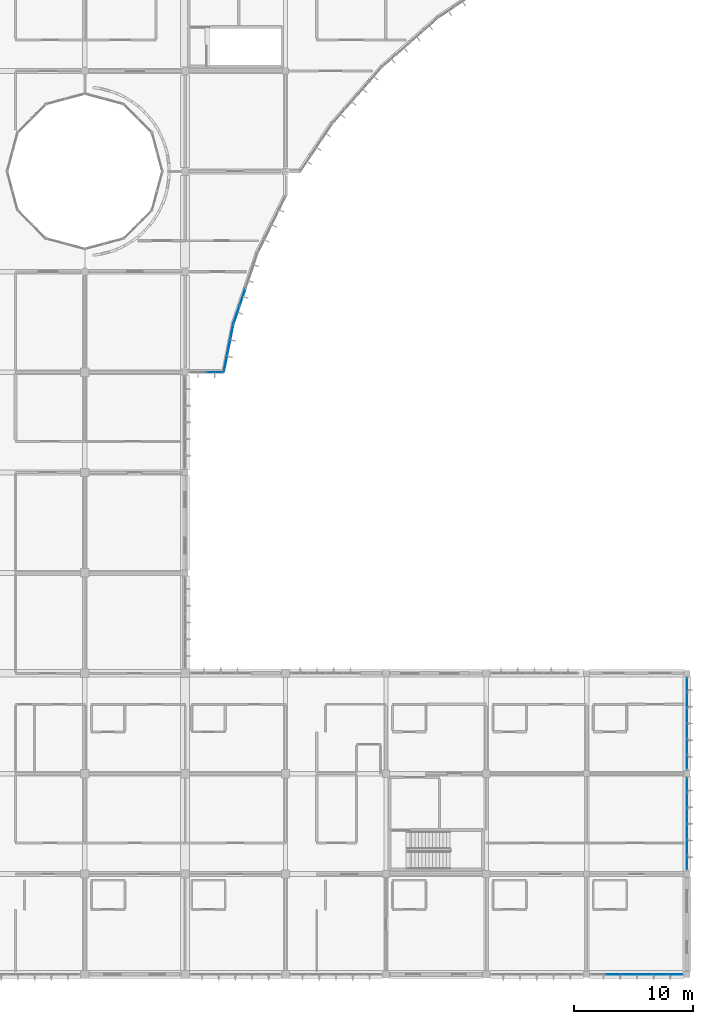
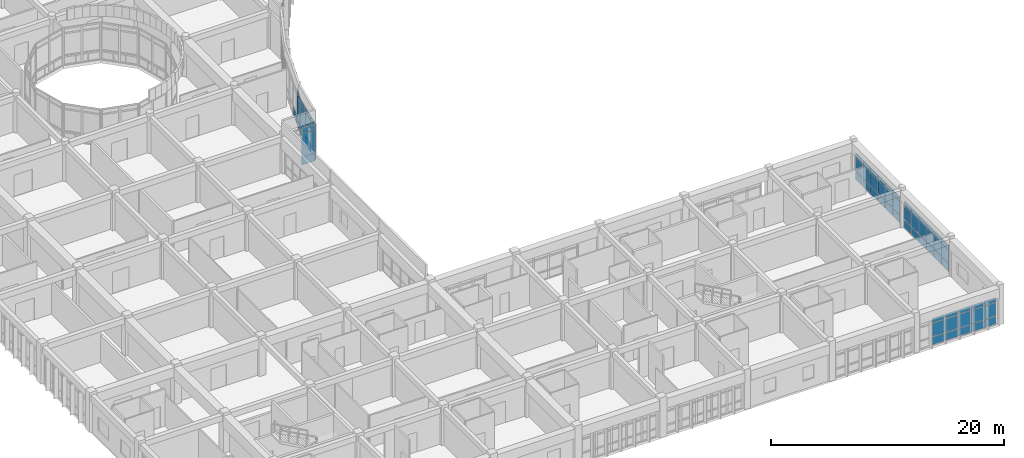
# One storey, part 70 of 119: 67 plates, 6 elements without a shape of their own.
"""IFC4 building model written with IfcOpenShell, lengths in metres."""

from ifc_helpers import new_model, si_unit, direction, frame, origin, origin_2d, place, context, subcontext, project, spatial, rectangle, extrude, material, layer, layer_set, type_object, element, aggregate, save


model = new_model("IFC4")

# Units and contexts
model_context = context("Model", 3, precision=1e-05, world=origin(), true_north=direction((0.0, 1.0)))
body_context = subcontext(model_context, "Body", "Model", "MODEL_VIEW")
ifc_project = project(units=[si_unit("LENGTHUNIT", "METRE"), si_unit("AREAUNIT", "SQUARE_METRE"), si_unit("VOLUMEUNIT", "CUBIC_METRE"), si_unit("PLANEANGLEUNIT", "RADIAN"), si_unit("MASSUNIT", "GRAM", prefix="KILO")], contexts=[model_context])

# Site, building, storey
site_placement = place(None, origin())
site = spatial("IfcSite", under=ifc_project, at=site_placement, CompositionType="ELEMENT")
building_placement = place(site_placement, origin())
building = spatial("IfcBuilding", under=site, at=building_placement, Name="Bramfleet General Hospital", CompositionType="ELEMENT")
storey_placement = place(building_placement, frame((0.0, 0.0, 14.39990234375)))
storey = spatial("IfcBuildingStorey", under=building, at=storey_placement, Name="L03", CompositionType="ELEMENT", Elevation=14.39990234375)

# Curtain wall, plates
ifc_material_1 = material(Name="Anodised aluminium and low-E triple glazing", Category="aluminium")
ifc_layer_1 = layer(ifc_material_1, 0.179931640625, Name="CWT-CW-17")
ifc_layer_set_1 = layer_set([ifc_layer_1], Name="Anodised aluminium and low-E triple glazing")
curtain_wall_type_1 = type_object("IfcCurtainWallType", Name="CWT-CW-17", PredefinedType="USERDEFINED", material=ifc_layer_set_1)
curtain_wall_1_placement = place(storey_placement, origin())
curtain_wall_1 = element("IfcCurtainWall", 1, at=curtain_wall_1_placement, inside=storey, type_object=curtain_wall_type_1, Name="L03 Curtain Wall 161", ObjectType="Stick curtain wall", PredefinedType="USERDEFINED")
ifc_material_2 = material(Name="Low-E laminated safety glass", Category="glass")
ifc_layer_2 = layer(ifc_material_2, 0.028076171875, Name="CWP-GLZ-1")
ifc_layer_set_2 = layer_set([ifc_layer_2], Name="Low-E laminated safety glass")
plate_type_1 = type_object("IfcPlateType", Name="CWP-GLZ-1", PredefinedType="CURTAIN_PANEL", material=ifc_layer_set_2)
plate_1_placement = place(storey_placement, frame((128.489990234375, 50.39990234375, 0.06494140625), z_axis=(0.0, 0.0, 1.0), x_axis=(-1.0, 0.0, 0.0)))
plate_1 = element("IfcPlate", 2, at=plate_1_placement, type_object=plate_type_1, Name="CW-17 panel 1.1", PredefinedType="CURTAIN_PANEL", context=body_context, shape_type="SweptSolid", body=[
    extrude(rectangle(XDim=1.35009765625, YDim=0.028076171875, at=origin_2d()), origin(), (0.0, 0.0, 1.0), 0.802490234375),
])
plate_2_placement = place(storey_placement, frame((128.489990234375, 50.39990234375, 0.9326171875), z_axis=(0.0, 0.0, 1.0), x_axis=(-1.0, 0.0, 0.0)))
plate_2 = element("IfcPlate", 3, at=plate_2_placement, type_object=plate_type_1, Name="CW-17 panel 1.2", PredefinedType="CURTAIN_PANEL", context=body_context, shape_type="SweptSolid", body=[
    extrude(rectangle(XDim=1.35009765625, YDim=0.028076171875, at=origin_2d()), origin(), (0.0, 0.0, 1.0), 2.375),
])
plate_3_placement = place(storey_placement, frame((128.489990234375, 50.39990234375, 3.37255859375), z_axis=(0.0, 0.0, 1.0), x_axis=(-1.0, 0.0, 0.0)))
plate_3 = element("IfcPlate", 4, at=plate_3_placement, type_object=plate_type_1, Name="CW-17 panel 1.3", PredefinedType="CURTAIN_PANEL", context=body_context, shape_type="SweptSolid", body=[
    extrude(rectangle(XDim=1.35009765625, YDim=0.028076171875, at=origin_2d()), origin(), (0.0, 0.0, 1.0), 0.452392578125),
])
aggregate(curtain_wall_1, [plate_1, plate_2, plate_3])

ifc_layer_3 = layer(ifc_material_1, 0.179931640625, Name="CWT-CW-07")
ifc_layer_set_3 = layer_set([ifc_layer_3], Name="Anodised aluminium and low-E triple glazing")
curtain_wall_type_2 = type_object("IfcCurtainWallType", Name="CWT-CW-07", PredefinedType="USERDEFINED", material=ifc_layer_set_3)
curtain_wall_2_placement = place(storey_placement, origin())
curtain_wall_2 = element("IfcCurtainWall", 5, at=curtain_wall_2_placement, inside=storey, type_object=curtain_wall_type_2, Name="L03 Curtain Wall 169", ObjectType="Unitised curtain wall", PredefinedType="USERDEFINED")
plate_4_placement = place(storey_placement, frame((167.01171875, 0.0, 0.06494140625), z_axis=(0.0, 0.0, 1.0), x_axis=(-1.0, 0.0, 0.0)))
plate_4 = element("IfcPlate", 6, at=plate_4_placement, type_object=plate_type_1, Name="CW-07 panel 1.1", PredefinedType="CURTAIN_PANEL", context=body_context, shape_type="SweptSolid", body=[
    extrude(rectangle(XDim=1.186767578125, YDim=0.028076171875, at=origin_2d()), origin(), (0.0, 0.0, 1.0), 0.802490234375),
])
plate_5_placement = place(storey_placement, frame((167.01171875, 0.0, 0.9326171875), z_axis=(0.0, 0.0, 1.0), x_axis=(-1.0, 0.0, 0.0)))
plate_5 = element("IfcPlate", 7, at=plate_5_placement, type_object=plate_type_1, Name="CW-07 panel 1.2", PredefinedType="CURTAIN_PANEL", context=body_context, shape_type="SweptSolid", body=[
    extrude(rectangle(XDim=1.186767578125, YDim=0.028076171875, at=origin_2d()), origin(), (0.0, 0.0, 1.0), 1.375),
])
plate_6_placement = place(storey_placement, frame((167.01171875, 0.0, 2.37255859375), z_axis=(0.0, 0.0, 1.0), x_axis=(-1.0, 0.0, 0.0)))
plate_6 = element("IfcPlate", 8, at=plate_6_placement, type_object=plate_type_1, Name="CW-07 panel 1.3", PredefinedType="CURTAIN_PANEL", context=body_context, shape_type="SweptSolid", body=[
    extrude(rectangle(XDim=1.186767578125, YDim=0.028076171875, at=origin_2d()), origin(), (0.0, 0.0, 1.0), 0.452392578125),
])
plate_7_placement = place(storey_placement, frame((165.737548828125, 0.0, 0.06494140625), z_axis=(0.0, 0.0, 1.0), x_axis=(-1.0, 0.0, 0.0)))
plate_7 = element("IfcPlate", 9, at=plate_7_placement, type_object=plate_type_1, Name="CW-07 panel 2.1", PredefinedType="CURTAIN_PANEL", context=body_context, shape_type="SweptSolid", body=[
    extrude(rectangle(XDim=1.2216796875, YDim=0.028076171875, at=origin_2d()), origin(), (0.0, 0.0, 1.0), 0.802490234375),
])
plate_8_placement = place(storey_placement, frame((165.737548828125, 0.0, 0.9326171875), z_axis=(0.0, 0.0, 1.0), x_axis=(-1.0, 0.0, 0.0)))
plate_8 = element("IfcPlate", 10, at=plate_8_placement, type_object=plate_type_1, Name="CW-07 panel 2.2", PredefinedType="CURTAIN_PANEL", context=body_context, shape_type="SweptSolid", body=[
    extrude(rectangle(XDim=1.2216796875, YDim=0.028076171875, at=origin_2d()), origin(), (0.0, 0.0, 1.0), 1.375),
])
plate_9_placement = place(storey_placement, frame((165.737548828125, 0.0, 2.37255859375), z_axis=(0.0, 0.0, 1.0), x_axis=(-1.0, 0.0, 0.0)))
plate_9 = element("IfcPlate", 11, at=plate_9_placement, type_object=plate_type_1, Name="CW-07 panel 2.3", PredefinedType="CURTAIN_PANEL", context=body_context, shape_type="SweptSolid", body=[
    extrude(rectangle(XDim=1.2216796875, YDim=0.028076171875, at=origin_2d()), origin(), (0.0, 0.0, 1.0), 0.452392578125),
])
plate_10_placement = place(storey_placement, frame((164.44580078125, 0.0, 0.06494140625), z_axis=(0.0, 0.0, 1.0), x_axis=(-1.0, 0.0, 0.0)))
plate_10 = element("IfcPlate", 12, at=plate_10_placement, type_object=plate_type_1, Name="CW-07 panel 3.1", PredefinedType="CURTAIN_PANEL", context=body_context, shape_type="SweptSolid", body=[
    extrude(rectangle(XDim=1.2216796875, YDim=0.028076171875, at=origin_2d()), origin(), (0.0, 0.0, 1.0), 0.802490234375),
])
plate_11_placement = place(storey_placement, frame((164.44580078125, 0.0, 0.9326171875), z_axis=(0.0, 0.0, 1.0), x_axis=(-1.0, 0.0, 0.0)))
plate_11 = element("IfcPlate", 13, at=plate_11_placement, type_object=plate_type_1, Name="CW-07 panel 3.2", PredefinedType="CURTAIN_PANEL", context=body_context, shape_type="SweptSolid", body=[
    extrude(rectangle(XDim=1.2216796875, YDim=0.028076171875, at=origin_2d()), origin(), (0.0, 0.0, 1.0), 1.375),
])
plate_12_placement = place(storey_placement, frame((164.44580078125, 0.0, 2.37255859375), z_axis=(0.0, 0.0, 1.0), x_axis=(-1.0, 0.0, 0.0)))
plate_12 = element("IfcPlate", 14, at=plate_12_placement, type_object=plate_type_1, Name="CW-07 panel 3.3", PredefinedType="CURTAIN_PANEL", context=body_context, shape_type="SweptSolid", body=[
    extrude(rectangle(XDim=1.2216796875, YDim=0.028076171875, at=origin_2d()), origin(), (0.0, 0.0, 1.0), 0.452392578125),
])
plate_13_placement = place(storey_placement, frame((163.154052734375, 0.0, 0.06494140625), z_axis=(0.0, 0.0, 1.0), x_axis=(-1.0, 0.0, 0.0)))
plate_13 = element("IfcPlate", 15, at=plate_13_placement, type_object=plate_type_1, Name="CW-07 panel 4.1", PredefinedType="CURTAIN_PANEL", context=body_context, shape_type="SweptSolid", body=[
    extrude(rectangle(XDim=1.2216796875, YDim=0.028076171875, at=origin_2d()), origin(), (0.0, 0.0, 1.0), 0.802490234375),
])
plate_14_placement = place(storey_placement, frame((163.154052734375, 0.0, 0.9326171875), z_axis=(0.0, 0.0, 1.0), x_axis=(-1.0, 0.0, 0.0)))
plate_14 = element("IfcPlate", 16, at=plate_14_placement, type_object=plate_type_1, Name="CW-07 panel 4.2", PredefinedType="CURTAIN_PANEL", context=body_context, shape_type="SweptSolid", body=[
    extrude(rectangle(XDim=1.2216796875, YDim=0.028076171875, at=origin_2d()), origin(), (0.0, 0.0, 1.0), 1.375),
])
plate_15_placement = place(storey_placement, frame((163.154052734375, 0.0, 2.37255859375), z_axis=(0.0, 0.0, 1.0), x_axis=(-1.0, 0.0, 0.0)))
plate_15 = element("IfcPlate", 17, at=plate_15_placement, type_object=plate_type_1, Name="CW-07 panel 4.3", PredefinedType="CURTAIN_PANEL", context=body_context, shape_type="SweptSolid", body=[
    extrude(rectangle(XDim=1.2216796875, YDim=0.028076171875, at=origin_2d()), origin(), (0.0, 0.0, 1.0), 0.452392578125),
])
plate_16_placement = place(storey_placement, frame((161.862548828125, 0.0, 0.06494140625), z_axis=(0.0, 0.0, 1.0), x_axis=(-1.0, 0.0, 0.0)))
plate_16 = element("IfcPlate", 18, at=plate_16_placement, type_object=plate_type_1, Name="CW-07 panel 5.1", PredefinedType="CURTAIN_PANEL", context=body_context, shape_type="SweptSolid", body=[
    extrude(rectangle(XDim=1.2216796875, YDim=0.028076171875, at=origin_2d()), origin(), (0.0, 0.0, 1.0), 0.802490234375),
])
plate_17_placement = place(storey_placement, frame((161.862548828125, 0.0, 0.9326171875), z_axis=(0.0, 0.0, 1.0), x_axis=(-1.0, 0.0, 0.0)))
plate_17 = element("IfcPlate", 19, at=plate_17_placement, type_object=plate_type_1, Name="CW-07 panel 5.2", PredefinedType="CURTAIN_PANEL", context=body_context, shape_type="SweptSolid", body=[
    extrude(rectangle(XDim=1.2216796875, YDim=0.028076171875, at=origin_2d()), origin(), (0.0, 0.0, 1.0), 1.375),
])
plate_18_placement = place(storey_placement, frame((161.862548828125, 0.0, 2.37255859375), z_axis=(0.0, 0.0, 1.0), x_axis=(-1.0, 0.0, 0.0)))
plate_18 = element("IfcPlate", 20, at=plate_18_placement, type_object=plate_type_1, Name="CW-07 panel 5.3", PredefinedType="CURTAIN_PANEL", context=body_context, shape_type="SweptSolid", body=[
    extrude(rectangle(XDim=1.2216796875, YDim=0.028076171875, at=origin_2d()), origin(), (0.0, 0.0, 1.0), 0.452392578125),
])
aggregate(curtain_wall_2, [plate_4, plate_5, plate_6, plate_7, plate_8, plate_9, plate_10, plate_11, plate_12, plate_13, plate_14, plate_15, plate_16, plate_17, plate_18])

ifc_layer_4 = layer(ifc_material_1, 0.179931640625, Name="CWT-CW-15")
ifc_layer_set_4 = layer_set([ifc_layer_4], Name="Anodised aluminium and low-E triple glazing")
curtain_wall_type_3 = type_object("IfcCurtainWallType", Name="CWT-CW-15", PredefinedType="USERDEFINED", material=ifc_layer_set_4)
curtain_wall_3_placement = place(storey_placement, origin())
curtain_wall_3 = element("IfcCurtainWall", 21, at=curtain_wall_3_placement, inside=storey, type_object=curtain_wall_type_3, Name="L03 Curtain Wall 159", ObjectType="Stick curtain wall", PredefinedType="USERDEFINED")
ifc_layer_5 = layer(ifc_material_2, 0.035888671875, Name="CWP-GLZ-3")
ifc_layer_set_5 = layer_set([ifc_layer_5], Name="Low-E laminated safety glass")
plate_type_2 = type_object("IfcPlateType", Name="CWP-GLZ-3", PredefinedType="CURTAIN_PANEL", material=ifc_layer_set_5)
plate_19_placement = place(storey_placement, frame((130.792724609375, 56.65283203125, 0.06494140625), z_axis=(0.0, 0.0, 1.0), x_axis=(-0.321383054181, -0.946949276617, 0.0)))
plate_19 = element("IfcPlate", 22, at=plate_19_placement, type_object=plate_type_2, Name="CW-15 panel 3.1", PredefinedType="CURTAIN_PANEL", context=body_context, shape_type="SweptSolid", body=[
    extrude(rectangle(XDim=1.499755859375, YDim=0.035888671875, at=origin_2d()), origin(), (0.0, 0.0, 1.0), 0.802490234375),
])
plate_20_placement = place(storey_placement, frame((130.2939453125, 55.182861328125, 0.06494140625), z_axis=(0.0, 0.0, 1.0), x_axis=(-0.321383054181, -0.946949276617, 0.0)))
plate_20 = element("IfcPlate", 23, at=plate_20_placement, type_object=plate_type_2, Name="CW-15 panel 4.1", PredefinedType="CURTAIN_PANEL", context=body_context, shape_type="SweptSolid", body=[
    extrude(rectangle(XDim=1.46484375, YDim=0.035888671875, at=origin_2d()), origin(), (0.0, 0.0, 1.0), 0.802490234375),
])
plate_21_placement = place(storey_placement, frame((130.2939453125, 55.182861328125, 0.9326171875), z_axis=(0.0, 0.0, 1.0), x_axis=(-0.321383054181, -0.946949276617, 0.0)))
plate_21 = element("IfcPlate", 24, at=plate_21_placement, type_object=plate_type_2, Name="CW-15 panel 4.2", PredefinedType="CURTAIN_PANEL", context=body_context, shape_type="SweptSolid", body=[
    extrude(rectangle(XDim=1.46484375, YDim=0.035888671875, at=origin_2d()), origin(), (0.0, 0.0, 1.0), 2.375),
])
plate_22_placement = place(storey_placement, frame((130.2939453125, 55.182861328125, 3.37255859375), z_axis=(0.0, 0.0, 1.0), x_axis=(-0.321383054181, -0.946949276617, 0.0)))
plate_22 = element("IfcPlate", 25, at=plate_22_placement, type_object=plate_type_2, Name="CW-15 panel 4.3", PredefinedType="CURTAIN_PANEL", context=body_context, shape_type="SweptSolid", body=[
    extrude(rectangle(XDim=1.46484375, YDim=0.035888671875, at=origin_2d()), origin(), (0.0, 0.0, 1.0), 0.452392578125),
])
aggregate(curtain_wall_3, [plate_19, plate_20, plate_21, plate_22])

ifc_layer_6 = layer(ifc_material_1, 0.179931640625, Name="CWT-CW-05")
ifc_layer_set_6 = layer_set([ifc_layer_6], Name="Anodised aluminium and low-E triple glazing")
curtain_wall_type_4 = type_object("IfcCurtainWallType", Name="CWT-CW-05", PredefinedType="USERDEFINED", material=ifc_layer_set_6)
curtain_wall_4_placement = place(storey_placement, origin())
curtain_wall_4 = element("IfcCurtainWall", 26, at=curtain_wall_4_placement, inside=storey, type_object=curtain_wall_type_4, Name="L03 Curtain Wall 167", ObjectType="Unitised curtain wall", PredefinedType="USERDEFINED")
plate_23_placement = place(storey_placement, frame((168.0, 24.211669921875, 0.06494140625), z_axis=(0.0, 0.0, 1.0), x_axis=(0.0, -1.0, 0.0)))
plate_23 = element("IfcPlate", 27, at=plate_23_placement, type_object=plate_type_2, Name="CW-05 panel 1.1", PredefinedType="CURTAIN_PANEL", context=body_context, shape_type="SweptSolid", body=[
    extrude(rectangle(XDim=1.186767578125, YDim=0.035888671875, at=origin_2d()), origin(), (0.0, 0.0, 1.0), 0.802490234375),
])
plate_24_placement = place(storey_placement, frame((168.0, 24.211669921875, 0.9326171875), z_axis=(0.0, 0.0, 1.0), x_axis=(0.0, -1.0, 0.0)))
plate_24 = element("IfcPlate", 28, at=plate_24_placement, type_object=plate_type_2, Name="CW-05 panel 1.2", PredefinedType="CURTAIN_PANEL", context=body_context, shape_type="SweptSolid", body=[
    extrude(rectangle(XDim=1.186767578125, YDim=0.035888671875, at=origin_2d()), origin(), (0.0, 0.0, 1.0), 1.375),
])
plate_25_placement = place(storey_placement, frame((168.0, 24.211669921875, 2.37255859375), z_axis=(0.0, 0.0, 1.0), x_axis=(0.0, -1.0, 0.0)))
plate_25 = element("IfcPlate", 29, at=plate_25_placement, type_object=plate_type_2, Name="CW-05 panel 1.3", PredefinedType="CURTAIN_PANEL", context=body_context, shape_type="SweptSolid", body=[
    extrude(rectangle(XDim=1.186767578125, YDim=0.035888671875, at=origin_2d()), origin(), (0.0, 0.0, 1.0), 0.452392578125),
])
plate_26_placement = place(storey_placement, frame((168.0, 22.9375, 0.06494140625), z_axis=(0.0, 0.0, 1.0), x_axis=(0.0, -1.0, 0.0)))
plate_26 = element("IfcPlate", 30, at=plate_26_placement, type_object=plate_type_2, Name="CW-05 panel 2.1", PredefinedType="CURTAIN_PANEL", context=body_context, shape_type="SweptSolid", body=[
    extrude(rectangle(XDim=1.2216796875, YDim=0.035888671875, at=origin_2d()), origin(), (0.0, 0.0, 1.0), 0.802490234375),
])
plate_27_placement = place(storey_placement, frame((168.0, 22.9375, 0.9326171875), z_axis=(0.0, 0.0, 1.0), x_axis=(0.0, -1.0, 0.0)))
plate_27 = element("IfcPlate", 31, at=plate_27_placement, type_object=plate_type_2, Name="CW-05 panel 2.2", PredefinedType="CURTAIN_PANEL", context=body_context, shape_type="SweptSolid", body=[
    extrude(rectangle(XDim=1.2216796875, YDim=0.035888671875, at=origin_2d()), origin(), (0.0, 0.0, 1.0), 1.375),
])
plate_28_placement = place(storey_placement, frame((168.0, 22.9375, 2.37255859375), z_axis=(0.0, 0.0, 1.0), x_axis=(0.0, -1.0, 0.0)))
plate_28 = element("IfcPlate", 32, at=plate_28_placement, type_object=plate_type_2, Name="CW-05 panel 2.3", PredefinedType="CURTAIN_PANEL", context=body_context, shape_type="SweptSolid", body=[
    extrude(rectangle(XDim=1.2216796875, YDim=0.035888671875, at=origin_2d()), origin(), (0.0, 0.0, 1.0), 0.452392578125),
])
plate_29_placement = place(storey_placement, frame((168.0, 21.645751953125, 0.06494140625), z_axis=(0.0, 0.0, 1.0), x_axis=(0.0, -1.0, 0.0)))
plate_29 = element("IfcPlate", 33, at=plate_29_placement, type_object=plate_type_2, Name="CW-05 panel 3.1", PredefinedType="CURTAIN_PANEL", context=body_context, shape_type="SweptSolid", body=[
    extrude(rectangle(XDim=1.2216796875, YDim=0.035888671875, at=origin_2d()), origin(), (0.0, 0.0, 1.0), 0.802490234375),
])
plate_30_placement = place(storey_placement, frame((168.0, 21.645751953125, 0.9326171875), z_axis=(0.0, 0.0, 1.0), x_axis=(0.0, -1.0, 0.0)))
plate_30 = element("IfcPlate", 34, at=plate_30_placement, type_object=plate_type_2, Name="CW-05 panel 3.2", PredefinedType="CURTAIN_PANEL", context=body_context, shape_type="SweptSolid", body=[
    extrude(rectangle(XDim=1.2216796875, YDim=0.035888671875, at=origin_2d()), origin(), (0.0, 0.0, 1.0), 1.375),
])
plate_31_placement = place(storey_placement, frame((168.0, 21.645751953125, 2.37255859375), z_axis=(0.0, 0.0, 1.0), x_axis=(0.0, -1.0, 0.0)))
plate_31 = element("IfcPlate", 35, at=plate_31_placement, type_object=plate_type_2, Name="CW-05 panel 3.3", PredefinedType="CURTAIN_PANEL", context=body_context, shape_type="SweptSolid", body=[
    extrude(rectangle(XDim=1.2216796875, YDim=0.035888671875, at=origin_2d()), origin(), (0.0, 0.0, 1.0), 0.452392578125),
])
plate_32_placement = place(storey_placement, frame((168.0, 20.354248046875, 0.06494140625), z_axis=(0.0, 0.0, 1.0), x_axis=(0.0, -1.0, 0.0)))
plate_32 = element("IfcPlate", 36, at=plate_32_placement, type_object=plate_type_2, Name="CW-05 panel 4.1", PredefinedType="CURTAIN_PANEL", context=body_context, shape_type="SweptSolid", body=[
    extrude(rectangle(XDim=1.2216796875, YDim=0.035888671875, at=origin_2d()), origin(), (0.0, 0.0, 1.0), 0.802490234375),
])
plate_33_placement = place(storey_placement, frame((168.0, 20.354248046875, 0.9326171875), z_axis=(0.0, 0.0, 1.0), x_axis=(0.0, -1.0, 0.0)))
plate_33 = element("IfcPlate", 37, at=plate_33_placement, type_object=plate_type_2, Name="CW-05 panel 4.2", PredefinedType="CURTAIN_PANEL", context=body_context, shape_type="SweptSolid", body=[
    extrude(rectangle(XDim=1.2216796875, YDim=0.035888671875, at=origin_2d()), origin(), (0.0, 0.0, 1.0), 1.375),
])
plate_34_placement = place(storey_placement, frame((168.0, 20.354248046875, 2.37255859375), z_axis=(0.0, 0.0, 1.0), x_axis=(0.0, -1.0, 0.0)))
plate_34 = element("IfcPlate", 38, at=plate_34_placement, type_object=plate_type_2, Name="CW-05 panel 4.3", PredefinedType="CURTAIN_PANEL", context=body_context, shape_type="SweptSolid", body=[
    extrude(rectangle(XDim=1.2216796875, YDim=0.035888671875, at=origin_2d()), origin(), (0.0, 0.0, 1.0), 0.452392578125),
])
plate_35_placement = place(storey_placement, frame((168.0, 19.0625, 0.06494140625), z_axis=(0.0, 0.0, 1.0), x_axis=(0.0, -1.0, 0.0)))
plate_35 = element("IfcPlate", 39, at=plate_35_placement, type_object=plate_type_2, Name="CW-05 panel 5.1", PredefinedType="CURTAIN_PANEL", context=body_context, shape_type="SweptSolid", body=[
    extrude(rectangle(XDim=1.2216796875, YDim=0.035888671875, at=origin_2d()), origin(), (0.0, 0.0, 1.0), 0.802490234375),
])
plate_36_placement = place(storey_placement, frame((168.0, 19.0625, 0.9326171875), z_axis=(0.0, 0.0, 1.0), x_axis=(0.0, -1.0, 0.0)))
plate_36 = element("IfcPlate", 40, at=plate_36_placement, type_object=plate_type_2, Name="CW-05 panel 5.2", PredefinedType="CURTAIN_PANEL", context=body_context, shape_type="SweptSolid", body=[
    extrude(rectangle(XDim=1.2216796875, YDim=0.035888671875, at=origin_2d()), origin(), (0.0, 0.0, 1.0), 1.375),
])
plate_37_placement = place(storey_placement, frame((168.0, 19.0625, 2.37255859375), z_axis=(0.0, 0.0, 1.0), x_axis=(0.0, -1.0, 0.0)))
plate_37 = element("IfcPlate", 41, at=plate_37_placement, type_object=plate_type_2, Name="CW-05 panel 5.3", PredefinedType="CURTAIN_PANEL", context=body_context, shape_type="SweptSolid", body=[
    extrude(rectangle(XDim=1.2216796875, YDim=0.035888671875, at=origin_2d()), origin(), (0.0, 0.0, 1.0), 0.452392578125),
])
plate_38_placement = place(storey_placement, frame((168.0, 17.788330078125, 0.06494140625), z_axis=(0.0, 0.0, 1.0), x_axis=(0.0, -1.0, 0.0)))
plate_38 = element("IfcPlate", 42, at=plate_38_placement, type_object=plate_type_2, Name="CW-05 panel 6.1", PredefinedType="CURTAIN_PANEL", context=body_context, shape_type="SweptSolid", body=[
    extrude(rectangle(XDim=1.186767578125, YDim=0.035888671875, at=origin_2d()), origin(), (0.0, 0.0, 1.0), 0.802490234375),
])
plate_39_placement = place(storey_placement, frame((168.0, 17.788330078125, 0.9326171875), z_axis=(0.0, 0.0, 1.0), x_axis=(0.0, -1.0, 0.0)))
plate_39 = element("IfcPlate", 43, at=plate_39_placement, type_object=plate_type_2, Name="CW-05 panel 6.2", PredefinedType="CURTAIN_PANEL", context=body_context, shape_type="SweptSolid", body=[
    extrude(rectangle(XDim=1.186767578125, YDim=0.035888671875, at=origin_2d()), origin(), (0.0, 0.0, 1.0), 1.375),
])
plate_40_placement = place(storey_placement, frame((168.0, 17.788330078125, 2.37255859375), z_axis=(0.0, 0.0, 1.0), x_axis=(0.0, -1.0, 0.0)))
plate_40 = element("IfcPlate", 44, at=plate_40_placement, type_object=plate_type_2, Name="CW-05 panel 6.3", PredefinedType="CURTAIN_PANEL", context=body_context, shape_type="SweptSolid", body=[
    extrude(rectangle(XDim=1.186767578125, YDim=0.035888671875, at=origin_2d()), origin(), (0.0, 0.0, 1.0), 0.452392578125),
])
aggregate(curtain_wall_4, [plate_23, plate_24, plate_25, plate_26, plate_27, plate_28, plate_29, plate_30, plate_31, plate_32, plate_33, plate_34, plate_35, plate_36, plate_37, plate_38, plate_39, plate_40])

ifc_layer_7 = layer(ifc_material_1, 0.179931640625, Name="CWT-CW-16")
ifc_layer_set_7 = layer_set([ifc_layer_7], Name="Anodised aluminium and low-E triple glazing")
curtain_wall_type_5 = type_object("IfcCurtainWallType", Name="CWT-CW-16", PredefinedType="USERDEFINED", material=ifc_layer_set_7)
curtain_wall_5_placement = place(storey_placement, origin())
curtain_wall_5 = element("IfcCurtainWall", 45, at=curtain_wall_5_placement, inside=storey, type_object=curtain_wall_type_5, Name="L03 Curtain Wall 160", ObjectType="Stick curtain wall", PredefinedType="USERDEFINED")
ifc_layer_8 = layer(ifc_material_2, 0.0419921875, Name="CWP-GLZ-4")
ifc_layer_set_8 = layer_set([ifc_layer_8], Name="Low-E laminated safety glass")
plate_type_3 = type_object("IfcPlateType", Name="CWP-GLZ-4", PredefinedType="CURTAIN_PANEL", material=ifc_layer_set_8)
plate_41_placement = place(storey_placement, frame((129.899169921875, 53.7353515625, 0.06494140625), z_axis=(0.0, 0.0, 1.0), x_axis=(-0.195272189606, -0.980749087161, 0.0)))
plate_41 = element("IfcPlate", 46, at=plate_41_placement, type_object=plate_type_3, Name="CW-16 panel 1.1", PredefinedType="CURTAIN_PANEL", context=body_context, shape_type="SweptSolid", body=[
    extrude(rectangle(XDim=1.26220703125, YDim=0.0419921875, at=origin_2d()), origin(), (0.0, 0.0, 1.0), 0.802490234375),
])
plate_42_placement = place(storey_placement, frame((129.899169921875, 53.7353515625, 0.9326171875), z_axis=(0.0, 0.0, 1.0), x_axis=(-0.195272189606, -0.980749087161, 0.0)))
plate_42 = element("IfcPlate", 47, at=plate_42_placement, type_object=plate_type_3, Name="CW-16 panel 1.2", PredefinedType="CURTAIN_PANEL", context=body_context, shape_type="SweptSolid", body=[
    extrude(rectangle(XDim=1.26220703125, YDim=0.0419921875, at=origin_2d()), origin(), (0.0, 0.0, 1.0), 2.375),
])
plate_43_placement = place(storey_placement, frame((129.899169921875, 53.7353515625, 3.37255859375), z_axis=(0.0, 0.0, 1.0), x_axis=(-0.195272189606, -0.980749087161, 0.0)))
plate_43 = element("IfcPlate", 48, at=plate_43_placement, type_object=plate_type_3, Name="CW-16 panel 1.3", PredefinedType="CURTAIN_PANEL", context=body_context, shape_type="SweptSolid", body=[
    extrude(rectangle(XDim=1.26220703125, YDim=0.0419921875, at=origin_2d()), origin(), (0.0, 0.0, 1.0), 0.452392578125),
])
plate_44_placement = place(storey_placement, frame((129.635498046875, 52.41162109375, 0.06494140625), z_axis=(0.0, 0.0, 1.0), x_axis=(-0.195272189606, -0.980749087161, 0.0)))
plate_44 = element("IfcPlate", 49, at=plate_44_placement, type_object=plate_type_3, Name="CW-16 panel 2.1", PredefinedType="CURTAIN_PANEL", context=body_context, shape_type="SweptSolid", body=[
    extrude(rectangle(XDim=1.29736328125, YDim=0.0419921875, at=origin_2d()), origin(), (0.0, 0.0, 1.0), 0.802490234375),
])
plate_45_placement = place(storey_placement, frame((129.635498046875, 52.41162109375, 0.9326171875), z_axis=(0.0, 0.0, 1.0), x_axis=(-0.195272189606, -0.980749087161, 0.0)))
plate_45 = element("IfcPlate", 50, at=plate_45_placement, type_object=plate_type_3, Name="CW-16 panel 2.2", PredefinedType="CURTAIN_PANEL", context=body_context, shape_type="SweptSolid", body=[
    extrude(rectangle(XDim=1.29736328125, YDim=0.0419921875, at=origin_2d()), origin(), (0.0, 0.0, 1.0), 2.375),
])
plate_46_placement = place(storey_placement, frame((129.635498046875, 52.41162109375, 3.37255859375), z_axis=(0.0, 0.0, 1.0), x_axis=(-0.195272189606, -0.980749087161, 0.0)))
plate_46 = element("IfcPlate", 51, at=plate_46_placement, type_object=plate_type_3, Name="CW-16 panel 2.3", PredefinedType="CURTAIN_PANEL", context=body_context, shape_type="SweptSolid", body=[
    extrude(rectangle(XDim=1.29736328125, YDim=0.0419921875, at=origin_2d()), origin(), (0.0, 0.0, 1.0), 0.452392578125),
])
plate_47_placement = place(storey_placement, frame((129.371826171875, 51.087646484375, 0.06494140625), z_axis=(0.0, 0.0, 1.0), x_axis=(-0.195272189606, -0.980749087161, 0.0)))
plate_47 = element("IfcPlate", 52, at=plate_47_placement, type_object=plate_type_3, Name="CW-16 panel 3.1", PredefinedType="CURTAIN_PANEL", context=body_context, shape_type="SweptSolid", body=[
    extrude(rectangle(XDim=1.26220703125, YDim=0.0419921875, at=origin_2d()), origin(), (0.0, 0.0, 1.0), 0.802490234375),
])
plate_48_placement = place(storey_placement, frame((129.371826171875, 51.087646484375, 0.9326171875), z_axis=(0.0, 0.0, 1.0), x_axis=(-0.195272189606, -0.980749087161, 0.0)))
plate_48 = element("IfcPlate", 53, at=plate_48_placement, type_object=plate_type_3, Name="CW-16 panel 3.2", PredefinedType="CURTAIN_PANEL", context=body_context, shape_type="SweptSolid", body=[
    extrude(rectangle(XDim=1.26220703125, YDim=0.0419921875, at=origin_2d()), origin(), (0.0, 0.0, 1.0), 2.375),
])
plate_49_placement = place(storey_placement, frame((129.371826171875, 51.087646484375, 3.37255859375), z_axis=(0.0, 0.0, 1.0), x_axis=(-0.195272189606, -0.980749087161, 0.0)))
plate_49 = element("IfcPlate", 54, at=plate_49_placement, type_object=plate_type_3, Name="CW-16 panel 3.3", PredefinedType="CURTAIN_PANEL", context=body_context, shape_type="SweptSolid", body=[
    extrude(rectangle(XDim=1.26220703125, YDim=0.0419921875, at=origin_2d()), origin(), (0.0, 0.0, 1.0), 0.452392578125),
])
aggregate(curtain_wall_5, [plate_41, plate_42, plate_43, plate_44, plate_45, plate_46, plate_47, plate_48, plate_49])

ifc_layer_9 = layer(ifc_material_1, 0.179931640625, Name="CWT-CW-06")
ifc_layer_set_9 = layer_set([ifc_layer_9], Name="Anodised aluminium and low-E triple glazing")
curtain_wall_type_6 = type_object("IfcCurtainWallType", Name="CWT-CW-06", PredefinedType="USERDEFINED", material=ifc_layer_set_9)
curtain_wall_6_placement = place(storey_placement, origin())
curtain_wall_6 = element("IfcCurtainWall", 55, at=curtain_wall_6_placement, inside=storey, type_object=curtain_wall_type_6, Name="L03 Curtain Wall 168", ObjectType="Unitised curtain wall", PredefinedType="USERDEFINED")
plate_50_placement = place(storey_placement, frame((168.0, 15.811767578125, 0.06494140625), z_axis=(0.0, 0.0, 1.0), x_axis=(0.0, -1.0, 0.0)))
plate_50 = element("IfcPlate", 56, at=plate_50_placement, type_object=plate_type_3, Name="CW-06 panel 1.1", PredefinedType="CURTAIN_PANEL", context=body_context, shape_type="SweptSolid", body=[
    extrude(rectangle(XDim=1.186767578125, YDim=0.0419921875, at=origin_2d()), origin(), (0.0, 0.0, 1.0), 0.802490234375),
])
plate_51_placement = place(storey_placement, frame((168.0, 15.811767578125, 0.9326171875), z_axis=(0.0, 0.0, 1.0), x_axis=(0.0, -1.0, 0.0)))
plate_51 = element("IfcPlate", 57, at=plate_51_placement, type_object=plate_type_3, Name="CW-06 panel 1.2", PredefinedType="CURTAIN_PANEL", context=body_context, shape_type="SweptSolid", body=[
    extrude(rectangle(XDim=1.186767578125, YDim=0.0419921875, at=origin_2d()), origin(), (0.0, 0.0, 1.0), 1.375),
])
plate_52_placement = place(storey_placement, frame((168.0, 15.811767578125, 2.37255859375), z_axis=(0.0, 0.0, 1.0), x_axis=(0.0, -1.0, 0.0)))
plate_52 = element("IfcPlate", 58, at=plate_52_placement, type_object=plate_type_3, Name="CW-06 panel 1.3", PredefinedType="CURTAIN_PANEL", context=body_context, shape_type="SweptSolid", body=[
    extrude(rectangle(XDim=1.186767578125, YDim=0.0419921875, at=origin_2d()), origin(), (0.0, 0.0, 1.0), 0.452392578125),
])
plate_53_placement = place(storey_placement, frame((168.0, 14.53759765625, 0.06494140625), z_axis=(0.0, 0.0, 1.0), x_axis=(0.0, -1.0, 0.0)))
plate_53 = element("IfcPlate", 59, at=plate_53_placement, type_object=plate_type_3, Name="CW-06 panel 2.1", PredefinedType="CURTAIN_PANEL", context=body_context, shape_type="SweptSolid", body=[
    extrude(rectangle(XDim=1.2216796875, YDim=0.0419921875, at=origin_2d()), origin(), (0.0, 0.0, 1.0), 0.802490234375),
])
plate_54_placement = place(storey_placement, frame((168.0, 14.53759765625, 0.9326171875), z_axis=(0.0, 0.0, 1.0), x_axis=(0.0, -1.0, 0.0)))
plate_54 = element("IfcPlate", 60, at=plate_54_placement, type_object=plate_type_3, Name="CW-06 panel 2.2", PredefinedType="CURTAIN_PANEL", context=body_context, shape_type="SweptSolid", body=[
    extrude(rectangle(XDim=1.2216796875, YDim=0.0419921875, at=origin_2d()), origin(), (0.0, 0.0, 1.0), 1.375),
])
plate_55_placement = place(storey_placement, frame((168.0, 14.53759765625, 2.37255859375), z_axis=(0.0, 0.0, 1.0), x_axis=(0.0, -1.0, 0.0)))
plate_55 = element("IfcPlate", 61, at=plate_55_placement, type_object=plate_type_3, Name="CW-06 panel 2.3", PredefinedType="CURTAIN_PANEL", context=body_context, shape_type="SweptSolid", body=[
    extrude(rectangle(XDim=1.2216796875, YDim=0.0419921875, at=origin_2d()), origin(), (0.0, 0.0, 1.0), 0.452392578125),
])
plate_56_placement = place(storey_placement, frame((168.0, 13.245849609375, 0.06494140625), z_axis=(0.0, 0.0, 1.0), x_axis=(0.0, -1.0, 0.0)))
plate_56 = element("IfcPlate", 62, at=plate_56_placement, type_object=plate_type_3, Name="CW-06 panel 3.1", PredefinedType="CURTAIN_PANEL", context=body_context, shape_type="SweptSolid", body=[
    extrude(rectangle(XDim=1.2216796875, YDim=0.0419921875, at=origin_2d()), origin(), (0.0, 0.0, 1.0), 0.802490234375),
])
plate_57_placement = place(storey_placement, frame((168.0, 13.245849609375, 0.9326171875), z_axis=(0.0, 0.0, 1.0), x_axis=(0.0, -1.0, 0.0)))
plate_57 = element("IfcPlate", 63, at=plate_57_placement, type_object=plate_type_3, Name="CW-06 panel 3.2", PredefinedType="CURTAIN_PANEL", context=body_context, shape_type="SweptSolid", body=[
    extrude(rectangle(XDim=1.2216796875, YDim=0.0419921875, at=origin_2d()), origin(), (0.0, 0.0, 1.0), 1.375),
])
plate_58_placement = place(storey_placement, frame((168.0, 13.245849609375, 2.37255859375), z_axis=(0.0, 0.0, 1.0), x_axis=(0.0, -1.0, 0.0)))
plate_58 = element("IfcPlate", 64, at=plate_58_placement, type_object=plate_type_3, Name="CW-06 panel 3.3", PredefinedType="CURTAIN_PANEL", context=body_context, shape_type="SweptSolid", body=[
    extrude(rectangle(XDim=1.2216796875, YDim=0.0419921875, at=origin_2d()), origin(), (0.0, 0.0, 1.0), 0.452392578125),
])
plate_59_placement = place(storey_placement, frame((168.0, 11.9541015625, 0.06494140625), z_axis=(0.0, 0.0, 1.0), x_axis=(0.0, -1.0, 0.0)))
plate_59 = element("IfcPlate", 65, at=plate_59_placement, type_object=plate_type_3, Name="CW-06 panel 4.1", PredefinedType="CURTAIN_PANEL", context=body_context, shape_type="SweptSolid", body=[
    extrude(rectangle(XDim=1.2216796875, YDim=0.0419921875, at=origin_2d()), origin(), (0.0, 0.0, 1.0), 0.802490234375),
])
plate_60_placement = place(storey_placement, frame((168.0, 11.9541015625, 0.9326171875), z_axis=(0.0, 0.0, 1.0), x_axis=(0.0, -1.0, 0.0)))
plate_60 = element("IfcPlate", 66, at=plate_60_placement, type_object=plate_type_3, Name="CW-06 panel 4.2", PredefinedType="CURTAIN_PANEL", context=body_context, shape_type="SweptSolid", body=[
    extrude(rectangle(XDim=1.2216796875, YDim=0.0419921875, at=origin_2d()), origin(), (0.0, 0.0, 1.0), 1.375),
])
plate_61_placement = place(storey_placement, frame((168.0, 11.9541015625, 2.37255859375), z_axis=(0.0, 0.0, 1.0), x_axis=(0.0, -1.0, 0.0)))
plate_61 = element("IfcPlate", 67, at=plate_61_placement, type_object=plate_type_3, Name="CW-06 panel 4.3", PredefinedType="CURTAIN_PANEL", context=body_context, shape_type="SweptSolid", body=[
    extrude(rectangle(XDim=1.2216796875, YDim=0.0419921875, at=origin_2d()), origin(), (0.0, 0.0, 1.0), 0.452392578125),
])
plate_62_placement = place(storey_placement, frame((168.0, 10.66259765625, 0.06494140625), z_axis=(0.0, 0.0, 1.0), x_axis=(0.0, -1.0, 0.0)))
plate_62 = element("IfcPlate", 68, at=plate_62_placement, type_object=plate_type_3, Name="CW-06 panel 5.1", PredefinedType="CURTAIN_PANEL", context=body_context, shape_type="SweptSolid", body=[
    extrude(rectangle(XDim=1.2216796875, YDim=0.0419921875, at=origin_2d()), origin(), (0.0, 0.0, 1.0), 0.802490234375),
])
plate_63_placement = place(storey_placement, frame((168.0, 10.66259765625, 0.9326171875), z_axis=(0.0, 0.0, 1.0), x_axis=(0.0, -1.0, 0.0)))
plate_63 = element("IfcPlate", 69, at=plate_63_placement, type_object=plate_type_3, Name="CW-06 panel 5.2", PredefinedType="CURTAIN_PANEL", context=body_context, shape_type="SweptSolid", body=[
    extrude(rectangle(XDim=1.2216796875, YDim=0.0419921875, at=origin_2d()), origin(), (0.0, 0.0, 1.0), 1.375),
])
plate_64_placement = place(storey_placement, frame((168.0, 10.66259765625, 2.37255859375), z_axis=(0.0, 0.0, 1.0), x_axis=(0.0, -1.0, 0.0)))
plate_64 = element("IfcPlate", 70, at=plate_64_placement, type_object=plate_type_3, Name="CW-06 panel 5.3", PredefinedType="CURTAIN_PANEL", context=body_context, shape_type="SweptSolid", body=[
    extrude(rectangle(XDim=1.2216796875, YDim=0.0419921875, at=origin_2d()), origin(), (0.0, 0.0, 1.0), 0.452392578125),
])
plate_65_placement = place(storey_placement, frame((168.0, 9.388427734375, 0.06494140625), z_axis=(0.0, 0.0, 1.0), x_axis=(0.0, -1.0, 0.0)))
plate_65 = element("IfcPlate", 71, at=plate_65_placement, type_object=plate_type_3, Name="CW-06 panel 6.1", PredefinedType="CURTAIN_PANEL", context=body_context, shape_type="SweptSolid", body=[
    extrude(rectangle(XDim=1.186767578125, YDim=0.0419921875, at=origin_2d()), origin(), (0.0, 0.0, 1.0), 0.802490234375),
])
plate_66_placement = place(storey_placement, frame((168.0, 9.388427734375, 0.9326171875), z_axis=(0.0, 0.0, 1.0), x_axis=(0.0, -1.0, 0.0)))
plate_66 = element("IfcPlate", 72, at=plate_66_placement, type_object=plate_type_3, Name="CW-06 panel 6.2", PredefinedType="CURTAIN_PANEL", context=body_context, shape_type="SweptSolid", body=[
    extrude(rectangle(XDim=1.186767578125, YDim=0.0419921875, at=origin_2d()), origin(), (0.0, 0.0, 1.0), 1.375),
])
plate_67_placement = place(storey_placement, frame((168.0, 9.388427734375, 2.37255859375), z_axis=(0.0, 0.0, 1.0), x_axis=(0.0, -1.0, 0.0)))
plate_67 = element("IfcPlate", 73, at=plate_67_placement, type_object=plate_type_3, Name="CW-06 panel 6.3", PredefinedType="CURTAIN_PANEL", context=body_context, shape_type="SweptSolid", body=[
    extrude(rectangle(XDim=1.186767578125, YDim=0.0419921875, at=origin_2d()), origin(), (0.0, 0.0, 1.0), 0.452392578125),
])
aggregate(curtain_wall_6, [plate_50, plate_51, plate_52, plate_53, plate_54, plate_55, plate_56, plate_57, plate_58, plate_59, plate_60, plate_61, plate_62, plate_63, plate_64, plate_65, plate_66, plate_67])

save(model, "model.ifc")
